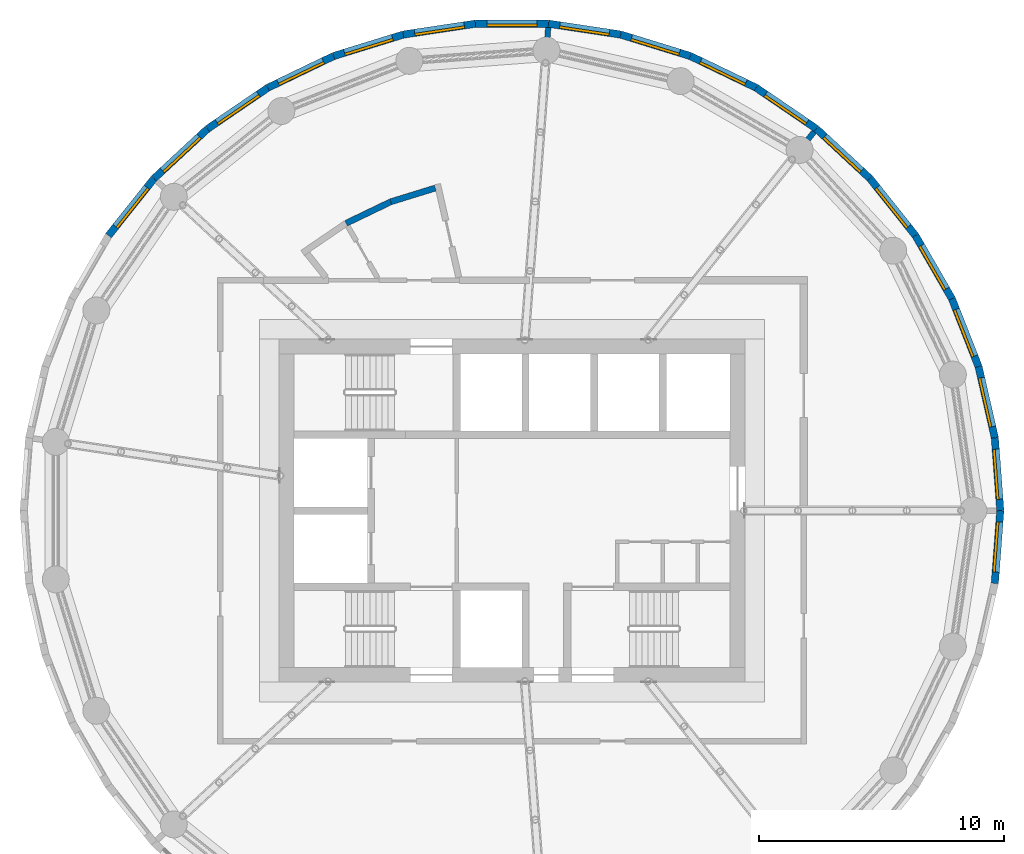
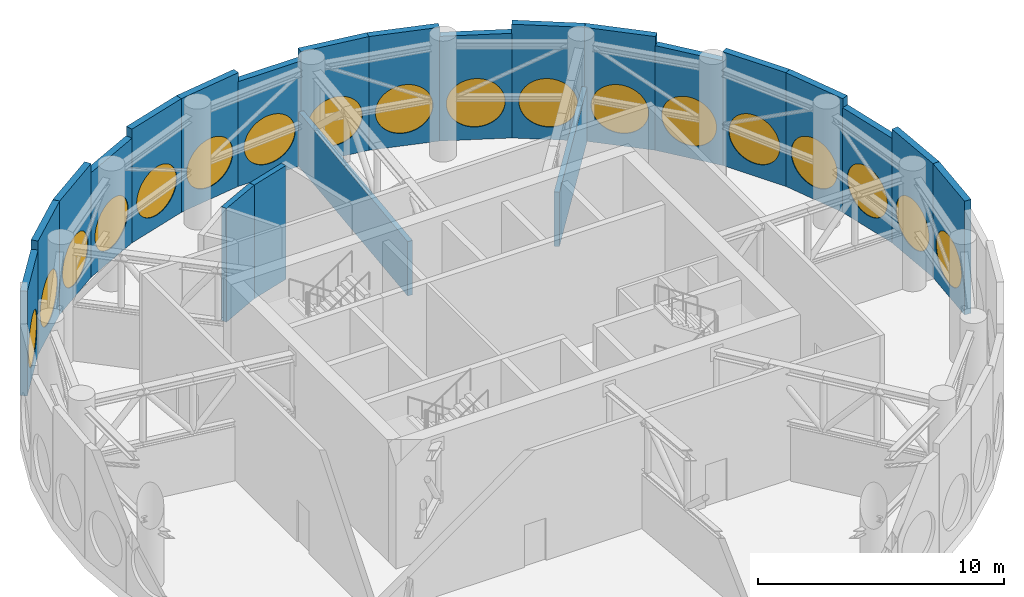
# One storey, part 10 of 13: 22 walls, 18 windows, 18 openings.
"""IFC4 building model written with IfcOpenShell, lengths in metres."""

import ifcopenshell
import ifcopenshell.guid

model = None  # the IFC model being written
_history = None  # IfcOwnerHistory: only IFC2X3 demands one
_inside = {}  # id of a spatial element -> (the spatial element, [elements in it])
_under = {}  # id of a project, library or spatial element -> (it, [spatial elements below it])
_declared = {}  # id of a project -> (the project, [libraries it declares])
_typed = {}  # id of a type object -> (the type object, [elements of that type])
_made_of = {}  # id of a material, layer set ... -> (it, [elements and type objects made of it])


def new_model(schema):
    """Start an empty IFC model of exactly this schema.

    Asked for "IFC4X3", IfcOpenShell would pick the latest addendum, in which some entities
    have other attributes; the version numbers below select the first issue.
    IFC2X3 requires an IfcOwnerHistory on every rooted entity: one is made here for all.
    """
    global model, _history
    if schema == "IFC4X3":
        model = ifcopenshell.file(schema_version=(4, 3, 0, 0))
    else:
        model = ifcopenshell.file(schema=schema)
    _inside.clear()
    _under.clear()
    _declared.clear()
    _typed.clear()
    _made_of.clear()
    _history = None
    if model.schema == "IFC2X3":
        org = make("IfcOrganization", Name="unknown")
        user = make(
            "IfcPersonAndOrganization",
            ThePerson=make("IfcPerson", FamilyName="unknown"),
            TheOrganization=org,
        )
        app = make(
            "IfcApplication",
            ApplicationDeveloper=org,
            Version="unknown",
            ApplicationFullName="unknown",
            ApplicationIdentifier="unknown",
        )
        _history = make(
            "IfcOwnerHistory",
            OwningUser=user,
            OwningApplication=app,
            ChangeAction="ADDED",
            CreationDate=0,
        )
    return model


def make(cls, **values):
    """One entity of the class cls with the attributes given. An attribute that is None is left unset."""
    return model.create_entity(
        cls, **{name: value for name, value in values.items() if value is not None}
    )


def rooted(cls, **values):
    """An entity with a GlobalId (a new one), such as an element, a storey or a relation."""
    return make(cls, GlobalId=ifcopenshell.guid.new(), OwnerHistory=_history, **values)


def si_unit(unit_type, name, prefix=None):
    """IfcSIUnit, for example si_unit("LENGTHUNIT", "METRE", prefix="MILLI")."""
    return make("IfcSIUnit", UnitType=unit_type, Prefix=prefix, Name=name)


def assignment(units):
    """IfcUnitAssignment: the units of a project."""
    return None if units is None else make("IfcUnitAssignment", Units=units)


def point(xyz):
    """IfcCartesianPoint."""
    return None if xyz is None else make("IfcCartesianPoint", Coordinates=xyz)


def direction(xyz):
    """IfcDirection."""
    return None if xyz is None else make("IfcDirection", DirectionRatios=xyz)


def frame(location, z_axis=None, x_axis=None):
    """IfcAxis2Placement3D, a coordinate frame: its origin and axes. An axis left out is left unset."""
    return make(
        "IfcAxis2Placement3D",
        Location=point(location),
        Axis=direction(z_axis),
        RefDirection=direction(x_axis),
    )


def frame_2d(location, x_axis=None):
    """IfcAxis2Placement2D, a coordinate frame in the plane: its origin and x axis."""
    return make(
        "IfcAxis2Placement2D", Location=point(location), RefDirection=direction(x_axis)
    )


def origin():
    """The frame at (0, 0, 0) with its axes left unset."""
    return frame((0.0, 0.0, 0.0))


def origin_2d():
    """The frame at (0, 0) in the plane with its x axis left unset."""
    return frame_2d((0.0, 0.0))


def place(relative_to, where):
    """IfcLocalPlacement: puts the frame where relative to a parent placement (None: the world)."""
    return make(
        "IfcLocalPlacement", PlacementRelTo=relative_to, RelativePlacement=where
    )


def context(
    kind, dimensions, precision=None, world=None, true_north=None, identifier=None
):
    """IfcGeometricRepresentationContext, for example the 3D "Model" context."""
    return make(
        "IfcGeometricRepresentationContext",
        ContextIdentifier=identifier,
        ContextType=kind,
        CoordinateSpaceDimension=dimensions,
        Precision=precision,
        WorldCoordinateSystem=world,
        TrueNorth=true_north,
    )


def subcontext(parent, identifier, kind, view, scale=None):
    """IfcGeometricRepresentationSubContext, for example "Body" below "Model"."""
    return make(
        "IfcGeometricRepresentationSubContext",
        ContextIdentifier=identifier,
        ContextType=kind,
        ParentContext=parent,
        TargetScale=scale,
        TargetView=view,
    )


def project(units=None, contexts=None):
    """IfcProject with its units and contexts."""
    return rooted(
        "IfcProject",
        Name="project",
        RepresentationContexts=contexts,
        UnitsInContext=assignment(units),
    )


def spatial(cls, under=None, at=None, **own):
    """A site, building, storey or space (cls), placed at a placement, below another one or the project."""
    s = rooted(cls, ObjectPlacement=at, **own)
    if under is not None:
        _under.setdefault(under.id(), (under, []))[1].append(s)
    return s


def profile(cls, at=None, kind="AREA", **sizes):
    """A parametric profile (cls). Its sizes go by their IFC names, for example OverallWidth=200.0."""
    return make(cls, ProfileType=kind, Position=at, **sizes)


def rectangle(**sizes):
    """IfcRectangleProfileDef."""
    return profile("IfcRectangleProfileDef", **sizes)


def circle(**sizes):
    """IfcCircleProfileDef."""
    return profile("IfcCircleProfileDef", **sizes)


def extrude(swept, where, along, depth):
    """IfcExtrudedAreaSolid: the profile swept, set in the frame where, extruded along a direction by depth."""
    return make(
        "IfcExtrudedAreaSolid",
        SweptArea=swept,
        Position=where,
        ExtrudedDirection=direction(along),
        Depth=depth,
    )


def shape(context_of_items, identifier, shape_type, items):
    """IfcShapeRepresentation: the items that make up one representation, for example the "Body"."""
    return make(
        "IfcShapeRepresentation",
        ContextOfItems=context_of_items,
        RepresentationIdentifier=identifier,
        RepresentationType=shape_type,
        Items=items,
    )


def material(Name=None, Category=None):
    """IfcMaterial."""
    return make("IfcMaterial", Name=Name, Category=Category)


def layer(
    of_material, thickness, ventilated=None, Name=None, Category=None, Priority=None
):
    """IfcMaterialLayer: one layer of a wall or slab, of a material (None: an air gap)."""
    return make(
        "IfcMaterialLayer",
        Material=of_material,
        LayerThickness=thickness,
        IsVentilated=ventilated,
        Name=Name,
        Category=Category,
        Priority=Priority,
    )


def layer_set(layers, Name=None):
    """IfcMaterialLayerSet."""
    return make("IfcMaterialLayerSet", MaterialLayers=layers, LayerSetName=Name)


def made_of(thing, what):
    """Note that an element or type object is made of a material, layer set ...; save() writes the relation."""
    if what is not None:
        _made_of.setdefault(what.id(), (what, []))[1].append(thing)
    return thing


def type_object(cls, material=None, **own):
    """A type object (cls), such as IfcWallType, which elements share."""
    return made_of(rooted(cls, **own), material)


def element(
    cls,
    number,
    at=None,
    inside=None,
    cuts=None,
    type_object=None,
    material=None,
    context=None,
    identifier="Body",
    shape_type=None,
    held_by="IfcProductDefinitionShape",
    body=None,
    shapes=None,
    **own,
):
    """One element of the class cls, such as IfcWall. Its Tag is "e" and its number.

    at: its placement. inside: the storey or other place that contains it. cuts: it is an
    opening in that element (IfcRelVoidsElement). A single representation is given by context,
    identifier, shape_type and body (its items); several are given by shapes. held_by: the class
    of the entity that holds the representations. save() writes the other relations.
    """
    e = rooted(cls, Tag="e%d" % number, ObjectPlacement=at, **own)
    if body is not None:
        shapes = [shape(context, identifier, shape_type, body)]
    if shapes is not None:
        e.Representation = make(held_by, Representations=shapes)
    if inside is not None:
        _inside.setdefault(inside.id(), (inside, []))[1].append(e)
    if cuts is not None:
        rooted(
            "IfcRelVoidsElement", RelatingBuildingElement=cuts, RelatedOpeningElement=e
        )
    if type_object is not None:
        _typed.setdefault(type_object.id(), (type_object, []))[1].append(e)
    return made_of(e, material)


def fill(opening, filler):
    """IfcRelFillsElement: the door or window that sits in an opening."""
    return rooted(
        "IfcRelFillsElement",
        RelatingOpeningElement=opening,
        RelatedBuildingElement=filler,
    )


def aggregate(whole, parts):
    """IfcRelAggregates: a whole, such as a stair, and the parts it consists of."""
    return rooted("IfcRelAggregates", RelatingObject=whole, RelatedObjects=parts)


def save(model, path):
    """Write the relations noted so far, then the file.

    IfcRelAggregates (storeys below a building ...), IfcRelContainedInSpatialStructure (elements
    in a storey), IfcRelDefinesByType, IfcRelAssociatesMaterial and IfcRelDeclares: one each for
    every whole, place, type object, material and project.
    """
    for whole, parts in _under.values():
        aggregate(whole, parts)
    for where, things in _inside.values():
        rooted(
            "IfcRelContainedInSpatialStructure",
            RelatedElements=things,
            RelatingStructure=where,
        )
    for kind, things in _typed.values():
        rooted("IfcRelDefinesByType", RelatedObjects=things, RelatingType=kind)
    for what, things in _made_of.values():
        rooted("IfcRelAssociatesMaterial", RelatedObjects=things, RelatingMaterial=what)
    for by, libraries in _declared.values():
        rooted("IfcRelDeclares", RelatingContext=by, RelatedDefinitions=libraries)
    model.write(path)


model = new_model("IFC4")

# Units and contexts
model_context = context("Model", 3, precision=1e-05, world=origin(), true_north=direction((0.0, 1.0)))
body_context = subcontext(model_context, "Body", "Model", "MODEL_VIEW")
ifc_project = project(units=[si_unit("LENGTHUNIT", "METRE"), si_unit("AREAUNIT", "SQUARE_METRE"), si_unit("VOLUMEUNIT", "CUBIC_METRE"), si_unit("PLANEANGLEUNIT", "RADIAN"), si_unit("MASSUNIT", "GRAM", prefix="KILO")], contexts=[model_context])

# Site, building, storey
site_placement = place(None, origin())
site = spatial("IfcSite", under=ifc_project, at=site_placement, CompositionType="ELEMENT")
building_placement = place(site_placement, origin())
building = spatial("IfcBuilding", under=site, at=building_placement, Name="Tracery Tower", CompositionType="ELEMENT")
storey_placement = place(building_placement, frame((0.0, 0.0, 277.800048828125)))
storey = spatial("IfcBuildingStorey", under=building, at=storey_placement, Name="L72 Plant", CompositionType="ELEMENT", Elevation=277.800048828125)

# Wall, opening, window
ifc_material_1 = material(Name="Precast concrete C50/60", Category="concrete")
ifc_layer_1 = layer(ifc_material_1, 0.300048828125)
ifc_layer_set_1 = layer_set([ifc_layer_1], Name="Plant louvre panel 3000 x 5200")
wall_type_1 = type_object("IfcWallType", Name="Plant louvre panel 3000 x 5200", PredefinedType="SOLIDWALL", material=ifc_layer_set_1)
wall_1_placement = place(storey_placement, frame((19.69921875, 2.96923828125, 0.0), z_axis=(0.0, 0.0, 1.0), x_axis=(-0.222535358937, 0.974924619662, 0.0)))
wall_1 = element("IfcWall", 1, at=wall_1_placement, inside=storey, type_object=wall_type_1, Name="Plant louvre panel 2 at L72 Plant", PredefinedType="SOLIDWALL", context=body_context, shape_type="SweptSolid", body=[
    extrude(rectangle(XDim=2.9775390625, YDim=0.300048828125, at=frame_2d((1.48876953125, 0.0))), origin(), (0.0, 0.0, 1.0), 5.199951171875),
])
opening_1_placement = place(wall_1_placement, frame((1.48876953125, 0.0, 1.824951171875)))
opening_1 = element("IfcOpeningElement", 2, at=opening_1_placement, cuts=wall_1, Name="Opening LV2", PredefinedType="OPENING", context=body_context, shape_type="SweptSolid", body=[
    extrude(circle(Radius=1.199951171875, at=origin_2d()), frame((0.0, 0.159912109375, 0.0), z_axis=(0.0, -1.0, 0.0), x_axis=(1.0, 0.0, 0.0)), (0.0, 0.0, 1.0), 0.320068359375),
])
ifc_material_2 = material(Name="Aluminium louvre, bronze anodised", Category="aluminium")
window_type = type_object("IfcWindowType", Name="Louvred oculus 2400, sill 625", PartitioningType="SINGLE_PANEL", PredefinedType="WINDOW", material=ifc_material_2)
window_1_placement = place(opening_1_placement, origin())
window_1 = element("IfcWindow", 3, at=window_1_placement, inside=storey, type_object=window_type, Name="Louvred oculus 2 at L72 Plant", OverallHeight=2.39990234375, OverallWidth=2.39990234375, PartitioningType="SINGLE_PANEL", PredefinedType="WINDOW", context=body_context, shape_type="SweptSolid", body=[
    extrude(circle(Radius=1.199951171875, at=origin_2d()), frame((0.0, 0.1201171875, 0.0), z_axis=(0.0, -1.0, 0.0), x_axis=(1.0, 0.0, 0.0)), (0.0, 0.0, 1.0), 0.10009765625),
])
fill(opening_1, window_1)

wall_2_placement = place(storey_placement, frame((16.460205078125, 11.222412109375, 0.0), z_axis=(0.0, 0.0, 1.0), x_axis=(-0.623494374707, 0.781827835722, 0.0)))
wall_2 = element("IfcWall", 4, at=wall_2_placement, inside=storey, type_object=wall_type_1, Name="Plant louvre panel 5 at L72 Plant", PredefinedType="SOLIDWALL", context=body_context, shape_type="SweptSolid", body=[
    extrude(rectangle(XDim=2.9775390625, YDim=0.300048828125, at=frame_2d((1.48876953125, 0.0))), origin(), (0.0, 0.0, 1.0), 5.199951171875),
])
opening_2_placement = place(wall_2_placement, frame((1.48876953125, 0.0, 1.824951171875)))
opening_2 = element("IfcOpeningElement", 5, at=opening_2_placement, cuts=wall_2, Name="Opening LV2", PredefinedType="OPENING", context=body_context, shape_type="SweptSolid", body=[
    extrude(circle(Radius=1.199951171875, at=origin_2d()), frame((0.0, 0.159912109375, 0.0), z_axis=(0.0, -1.0, 0.0), x_axis=(1.0, 0.0, 0.0)), (0.0, 0.0, 1.0), 0.320068359375),
])
window_2_placement = place(opening_2_placement, origin())
window_2 = element("IfcWindow", 6, at=window_2_placement, inside=storey, type_object=window_type, Name="Louvred oculus 5 at L72 Plant", OverallHeight=2.39990234375, OverallWidth=2.39990234375, PartitioningType="SINGLE_PANEL", PredefinedType="WINDOW", context=body_context, shape_type="SweptSolid", body=[
    extrude(circle(Radius=1.199951171875, at=origin_2d()), frame((0.0, 0.1201171875, 0.0), z_axis=(0.0, -1.0, 0.0), x_axis=(1.0, 0.0, 0.0)), (0.0, 0.0, 1.0), 0.10009765625),
])
fill(opening_2, window_2)

wall_3_placement = place(storey_placement, frame((9.9609375, 17.252685546875, 0.0), z_axis=(0.0, 0.0, 1.0), x_axis=(-0.900954184324, 0.433914228562, 0.0)))
wall_3 = element("IfcWall", 7, at=wall_3_placement, inside=storey, type_object=wall_type_1, Name="Plant louvre panel 8 at L72 Plant", PredefinedType="SOLIDWALL", context=body_context, shape_type="SweptSolid", body=[
    extrude(rectangle(XDim=2.9775390625, YDim=0.300048828125, at=frame_2d((1.48876953125, 0.0))), origin(), (0.0, 0.0, 1.0), 5.199951171875),
])
opening_3_placement = place(wall_3_placement, frame((1.48876953125, 0.0, 1.824951171875)))
opening_3 = element("IfcOpeningElement", 8, at=opening_3_placement, cuts=wall_3, Name="Opening LV2", PredefinedType="OPENING", context=body_context, shape_type="SweptSolid", body=[
    extrude(circle(Radius=1.199951171875, at=origin_2d()), frame((0.0, 0.159912109375, 0.0), z_axis=(0.0, -1.0, 0.0), x_axis=(1.0, 0.0, 0.0)), (0.0, 0.0, 1.0), 0.320068359375),
])
window_3_placement = place(opening_3_placement, origin())
window_3 = element("IfcWindow", 9, at=window_3_placement, inside=storey, type_object=window_type, Name="Louvred oculus 8 at L72 Plant", OverallHeight=2.39990234375, OverallWidth=2.39990234375, PartitioningType="SINGLE_PANEL", PredefinedType="WINDOW", context=body_context, shape_type="SweptSolid", body=[
    extrude(circle(Radius=1.199951171875, at=origin_2d()), frame((0.0, 0.1201171875, 0.0), z_axis=(0.0, -1.0, 0.0), x_axis=(1.0, 0.0, 0.0)), (0.0, 0.0, 1.0), 0.10009765625),
])
fill(opening_3, window_3)

wall_4_placement = place(storey_placement, frame((1.48876953125, 19.865966796875, 0.0), z_axis=(0.0, 0.0, 1.0), x_axis=(-1.0, 0.0, 0.0)))
wall_4 = element("IfcWall", 10, at=wall_4_placement, inside=storey, type_object=wall_type_1, Name="Plant louvre panel 11 at L72 Plant", PredefinedType="SOLIDWALL", context=body_context, shape_type="SweptSolid", body=[
    extrude(rectangle(XDim=2.9775390625, YDim=0.300048828125, at=frame_2d((1.48876953125, 0.0))), origin(), (0.0, 0.0, 1.0), 5.199951171875),
])
opening_4_placement = place(wall_4_placement, frame((1.48876953125, 0.0, 1.824951171875)))
opening_4 = element("IfcOpeningElement", 11, at=opening_4_placement, cuts=wall_4, Name="Opening LV2", PredefinedType="OPENING", context=body_context, shape_type="SweptSolid", body=[
    extrude(circle(Radius=1.199951171875, at=origin_2d()), frame((0.0, 0.159912109375, 0.0), z_axis=(0.0, -1.0, 0.0), x_axis=(1.0, 0.0, 0.0)), (0.0, 0.0, 1.0), 0.320068359375),
])
window_4_placement = place(opening_4_placement, origin())
window_4 = element("IfcWindow", 12, at=window_4_placement, inside=storey, type_object=window_type, Name="Louvred oculus 11 at L72 Plant", OverallHeight=2.39990234375, OverallWidth=2.39990234375, PartitioningType="SINGLE_PANEL", PredefinedType="WINDOW", context=body_context, shape_type="SweptSolid", body=[
    extrude(circle(Radius=1.199951171875, at=origin_2d()), frame((0.0, 0.1201171875, 0.0), z_axis=(0.0, -1.0, 0.0), x_axis=(1.0, 0.0, 0.0)), (0.0, 0.0, 1.0), 0.10009765625),
])
fill(opening_4, window_4)

wall_5_placement = place(storey_placement, frame((-7.2783203125, 18.544677734375, 0.0), z_axis=(0.0, 0.0, 1.0), x_axis=(-0.900954184324, -0.433914228562, 0.0)))
wall_5 = element("IfcWall", 13, at=wall_5_placement, inside=storey, type_object=wall_type_1, Name="Plant louvre panel 14 at L72 Plant", PredefinedType="SOLIDWALL", context=body_context, shape_type="SweptSolid", body=[
    extrude(rectangle(XDim=2.9775390625, YDim=0.300048828125, at=frame_2d((1.48876953125, 0.0))), origin(), (0.0, 0.0, 1.0), 5.199951171875),
])
opening_5_placement = place(wall_5_placement, frame((1.48876953125, 0.0, 1.824951171875)))
opening_5 = element("IfcOpeningElement", 14, at=opening_5_placement, cuts=wall_5, Name="Opening LV2", PredefinedType="OPENING", context=body_context, shape_type="SweptSolid", body=[
    extrude(circle(Radius=1.199951171875, at=origin_2d()), frame((0.0, 0.159912109375, 0.0), z_axis=(0.0, -1.0, 0.0), x_axis=(1.0, 0.0, 0.0)), (0.0, 0.0, 1.0), 0.320068359375),
])
window_5_placement = place(opening_5_placement, origin())
window_5 = element("IfcWindow", 15, at=window_5_placement, inside=storey, type_object=window_type, Name="Louvred oculus 14 at L72 Plant", OverallHeight=2.39990234375, OverallWidth=2.39990234375, PartitioningType="SINGLE_PANEL", PredefinedType="WINDOW", context=body_context, shape_type="SweptSolid", body=[
    extrude(circle(Radius=1.199951171875, at=origin_2d()), frame((0.0, 0.1201171875, 0.0), z_axis=(0.0, -1.0, 0.0), x_axis=(1.0, 0.0, 0.0)), (0.0, 0.0, 1.0), 0.10009765625),
])
fill(opening_5, window_5)

wall_6_placement = place(storey_placement, frame((-14.603759765625, 13.55029296875, 0.0), z_axis=(0.0, 0.0, 1.0), x_axis=(-0.623494374707, -0.781827835722, 0.0)))
wall_6 = element("IfcWall", 16, at=wall_6_placement, inside=storey, type_object=wall_type_1, Name="Plant louvre panel 17 at L72 Plant", PredefinedType="SOLIDWALL", context=body_context, shape_type="SweptSolid", body=[
    extrude(rectangle(XDim=2.9775390625, YDim=0.300048828125, at=frame_2d((1.48876953125, 0.0))), origin(), (0.0, 0.0, 1.0), 5.199951171875),
])
opening_6_placement = place(wall_6_placement, frame((1.48876953125, 0.0, 1.824951171875)))
opening_6 = element("IfcOpeningElement", 17, at=opening_6_placement, cuts=wall_6, Name="Opening LV2", PredefinedType="OPENING", context=body_context, shape_type="SweptSolid", body=[
    extrude(circle(Radius=1.199951171875, at=origin_2d()), frame((0.0, 0.159912109375, 0.0), z_axis=(0.0, -1.0, 0.0), x_axis=(1.0, 0.0, 0.0)), (0.0, 0.0, 1.0), 0.320068359375),
])
window_6_placement = place(opening_6_placement, origin())
window_6 = element("IfcWindow", 18, at=window_6_placement, inside=storey, type_object=window_type, Name="Louvred oculus 17 at L72 Plant", OverallHeight=2.39990234375, OverallWidth=2.39990234375, PartitioningType="SINGLE_PANEL", PredefinedType="WINDOW", context=body_context, shape_type="SweptSolid", body=[
    extrude(circle(Radius=1.199951171875, at=origin_2d()), frame((0.0, 0.1201171875, 0.0), z_axis=(0.0, -1.0, 0.0), x_axis=(1.0, 0.0, 0.0)), (0.0, 0.0, 1.0), 0.10009765625),
])
fill(opening_6, window_6)

ifc_material_3 = material(Name="Precast concrete C50/60", Category="concrete")
ifc_layer_2 = layer(ifc_material_3, 0.300048828125)
ifc_layer_set_2 = layer_set([ifc_layer_2], Name="Plant louvre panel 3000 x 5650")
wall_type_2 = type_object("IfcWallType", Name="Plant louvre panel 3000 x 5650", PredefinedType="SOLIDWALL", material=ifc_layer_set_2)
wall_7_placement = place(storey_placement, frame((19.921875, 0.0, 0.0), z_axis=(0.0, 0.0, 1.0), x_axis=(-0.074777718064, 0.997200227076, 0.0)))
wall_7 = element("IfcWall", 19, at=wall_7_placement, inside=storey, type_object=wall_type_2, Name="Plant louvre panel 1 at L72 Plant", PredefinedType="SOLIDWALL", context=body_context, shape_type="SweptSolid", body=[
    extrude(rectangle(XDim=2.9775390625, YDim=0.300048828125, at=frame_2d((1.48876953125, 0.0))), origin(), (0.0, 0.0, 1.0), 5.64990234375),
])
opening_7_placement = place(wall_7_placement, frame((1.48876953125, 0.0, 1.824951171875)))
opening_7 = element("IfcOpeningElement", 20, at=opening_7_placement, cuts=wall_7, Name="Opening LV2", PredefinedType="OPENING", context=body_context, shape_type="SweptSolid", body=[
    extrude(circle(Radius=1.199951171875, at=origin_2d()), frame((0.0, 0.159912109375, 0.0), z_axis=(0.0, -1.0, 0.0), x_axis=(1.0, 0.0, 0.0)), (0.0, 0.0, 1.0), 0.320068359375),
])
window_7_placement = place(opening_7_placement, origin())
window_7 = element("IfcWindow", 21, at=window_7_placement, inside=storey, type_object=window_type, Name="Louvred oculus 1 at L72 Plant", OverallHeight=2.39990234375, OverallWidth=2.39990234375, PartitioningType="SINGLE_PANEL", PredefinedType="WINDOW", context=body_context, shape_type="SweptSolid", body=[
    extrude(circle(Radius=1.199951171875, at=origin_2d()), frame((0.0, 0.1201171875, 0.0), z_axis=(0.0, -1.0, 0.0), x_axis=(1.0, 0.0, 0.0)), (0.0, 0.0, 1.0), 0.10009765625),
])
fill(opening_7, window_7)

wall_8_placement = place(storey_placement, frame((19.03662109375, 5.8720703125, 0.0), z_axis=(0.0, 0.0, 1.0), x_axis=(-0.365289571566, 0.930893940739, 0.0)))
wall_8 = element("IfcWall", 22, at=wall_8_placement, inside=storey, type_object=wall_type_2, Name="Plant louvre panel 3 at L72 Plant", PredefinedType="SOLIDWALL", context=body_context, shape_type="SweptSolid", body=[
    extrude(rectangle(XDim=2.9775390625, YDim=0.300048828125, at=frame_2d((1.48876953125, 0.0))), origin(), (0.0, 0.0, 1.0), 5.64990234375),
])
opening_8_placement = place(wall_8_placement, frame((1.48876953125, 0.0, 1.824951171875)))
opening_8 = element("IfcOpeningElement", 23, at=opening_8_placement, cuts=wall_8, Name="Opening LV2", PredefinedType="OPENING", context=body_context, shape_type="SweptSolid", body=[
    extrude(circle(Radius=1.199951171875, at=origin_2d()), frame((0.0, 0.159912109375, 0.0), z_axis=(0.0, -1.0, 0.0), x_axis=(1.0, 0.0, 0.0)), (0.0, 0.0, 1.0), 0.320068359375),
])
window_8_placement = place(opening_8_placement, origin())
window_8 = element("IfcWindow", 24, at=window_8_placement, inside=storey, type_object=window_type, Name="Louvred oculus 3 at L72 Plant", OverallHeight=2.39990234375, OverallWidth=2.39990234375, PartitioningType="SINGLE_PANEL", PredefinedType="WINDOW", context=body_context, shape_type="SweptSolid", body=[
    extrude(circle(Radius=1.199951171875, at=origin_2d()), frame((0.0, 0.1201171875, 0.0), z_axis=(0.0, -1.0, 0.0), x_axis=(1.0, 0.0, 0.0)), (0.0, 0.0, 1.0), 0.10009765625),
])
fill(opening_8, window_8)

wall_9_placement = place(storey_placement, frame((17.948974609375, 8.643798828125, 0.0), z_axis=(0.0, 0.0, 1.0), x_axis=(-0.500001626982, 0.866024464444, 0.0)))
wall_9 = element("IfcWall", 25, at=wall_9_placement, inside=storey, type_object=wall_type_2, Name="Plant louvre panel 4 at L72 Plant", PredefinedType="SOLIDWALL", context=body_context, shape_type="SweptSolid", body=[
    extrude(rectangle(XDim=2.9775390625, YDim=0.300048828125, at=frame_2d((1.48876953125, 0.0))), origin(), (0.0, 0.0, 1.0), 5.64990234375),
])
opening_9_placement = place(wall_9_placement, frame((1.48876953125, 0.0, 1.824951171875)))
opening_9 = element("IfcOpeningElement", 26, at=opening_9_placement, cuts=wall_9, Name="Opening LV2", PredefinedType="OPENING", context=body_context, shape_type="SweptSolid", body=[
    extrude(circle(Radius=1.199951171875, at=origin_2d()), frame((0.0, 0.159912109375, 0.0), z_axis=(0.0, -1.0, 0.0), x_axis=(1.0, 0.0, 0.0)), (0.0, 0.0, 1.0), 0.320068359375),
])
window_9_placement = place(opening_9_placement, origin())
window_9 = element("IfcWindow", 27, at=window_9_placement, inside=storey, type_object=window_type, Name="Louvred oculus 4 at L72 Plant", OverallHeight=2.39990234375, OverallWidth=2.39990234375, PartitioningType="SINGLE_PANEL", PredefinedType="WINDOW", context=body_context, shape_type="SweptSolid", body=[
    extrude(circle(Radius=1.199951171875, at=origin_2d()), frame((0.0, 0.1201171875, 0.0), z_axis=(0.0, -1.0, 0.0), x_axis=(1.0, 0.0, 0.0)), (0.0, 0.0, 1.0), 0.10009765625),
])
fill(opening_9, window_9)

wall_10_placement = place(storey_placement, frame((14.603759765625, 13.55029296875, 0.0), z_axis=(0.0, 0.0, 1.0), x_axis=(-0.733056277766, 0.68016798927, 0.0)))
wall_10 = element("IfcWall", 28, at=wall_10_placement, inside=storey, type_object=wall_type_2, Name="Plant louvre panel 6 at L72 Plant", PredefinedType="SOLIDWALL", context=body_context, shape_type="SweptSolid", body=[
    extrude(rectangle(XDim=2.9775390625, YDim=0.300048828125, at=frame_2d((1.48876953125, 0.0))), origin(), (0.0, 0.0, 1.0), 5.64990234375),
])
opening_10_placement = place(wall_10_placement, frame((1.48876953125, 0.0, 1.824951171875)))
opening_10 = element("IfcOpeningElement", 29, at=opening_10_placement, cuts=wall_10, Name="Opening LV2", PredefinedType="OPENING", context=body_context, shape_type="SweptSolid", body=[
    extrude(circle(Radius=1.199951171875, at=origin_2d()), frame((0.0, 0.159912109375, 0.0), z_axis=(0.0, -1.0, 0.0), x_axis=(1.0, 0.0, 0.0)), (0.0, 0.0, 1.0), 0.320068359375),
])
window_10_placement = place(opening_10_placement, origin())
window_10 = element("IfcWindow", 30, at=window_10_placement, inside=storey, type_object=window_type, Name="Louvred oculus 6 at L72 Plant", OverallHeight=2.39990234375, OverallWidth=2.39990234375, PartitioningType="SINGLE_PANEL", PredefinedType="WINDOW", context=body_context, shape_type="SweptSolid", body=[
    extrude(circle(Radius=1.199951171875, at=origin_2d()), frame((0.0, 0.1201171875, 0.0), z_axis=(0.0, -1.0, 0.0), x_axis=(1.0, 0.0, 0.0)), (0.0, 0.0, 1.0), 0.10009765625),
])
fill(opening_10, window_10)

wall_11_placement = place(storey_placement, frame((12.421142578125, 15.575439453125, 0.0), z_axis=(0.0, 0.0, 1.0), x_axis=(-0.826253362584, 0.56329866041, 0.0)))
wall_11 = element("IfcWall", 31, at=wall_11_placement, inside=storey, type_object=wall_type_2, Name="Plant louvre panel 7 at L72 Plant", PredefinedType="SOLIDWALL", context=body_context, shape_type="SweptSolid", body=[
    extrude(rectangle(XDim=2.9775390625, YDim=0.300048828125, at=frame_2d((1.48876953125, 0.0))), origin(), (0.0, 0.0, 1.0), 5.64990234375),
])
opening_11_placement = place(wall_11_placement, frame((1.48876953125, 0.0, 1.824951171875)))
opening_11 = element("IfcOpeningElement", 32, at=opening_11_placement, cuts=wall_11, Name="Opening LV2", PredefinedType="OPENING", context=body_context, shape_type="SweptSolid", body=[
    extrude(circle(Radius=1.199951171875, at=origin_2d()), frame((0.0, 0.159912109375, 0.0), z_axis=(0.0, -1.0, 0.0), x_axis=(1.0, 0.0, 0.0)), (0.0, 0.0, 1.0), 0.320068359375),
])
window_11_placement = place(opening_11_placement, origin())
window_11 = element("IfcWindow", 33, at=window_11_placement, inside=storey, type_object=window_type, Name="Louvred oculus 7 at L72 Plant", OverallHeight=2.39990234375, OverallWidth=2.39990234375, PartitioningType="SINGLE_PANEL", PredefinedType="WINDOW", context=body_context, shape_type="SweptSolid", body=[
    extrude(circle(Radius=1.199951171875, at=origin_2d()), frame((0.0, 0.1201171875, 0.0), z_axis=(0.0, -1.0, 0.0), x_axis=(1.0, 0.0, 0.0)), (0.0, 0.0, 1.0), 0.10009765625),
])
fill(opening_11, window_11)

wall_12_placement = place(storey_placement, frame((7.2783203125, 18.544677734375, 0.0), z_axis=(0.0, 0.0, 1.0), x_axis=(-0.955567792294, 0.294771427261, 0.0)))
wall_12 = element("IfcWall", 34, at=wall_12_placement, inside=storey, type_object=wall_type_2, Name="Plant louvre panel 9 at L72 Plant", PredefinedType="SOLIDWALL", context=body_context, shape_type="SweptSolid", body=[
    extrude(rectangle(XDim=2.9775390625, YDim=0.300048828125, at=frame_2d((1.48876953125, 0.0))), origin(), (0.0, 0.0, 1.0), 5.64990234375),
])
opening_12_placement = place(wall_12_placement, frame((1.48876953125, 0.0, 1.824951171875)))
opening_12 = element("IfcOpeningElement", 35, at=opening_12_placement, cuts=wall_12, Name="Opening LV2", PredefinedType="OPENING", context=body_context, shape_type="SweptSolid", body=[
    extrude(circle(Radius=1.199951171875, at=origin_2d()), frame((0.0, 0.159912109375, 0.0), z_axis=(0.0, -1.0, 0.0), x_axis=(1.0, 0.0, 0.0)), (0.0, 0.0, 1.0), 0.320068359375),
])
window_12_placement = place(opening_12_placement, origin())
window_12 = element("IfcWindow", 36, at=window_12_placement, inside=storey, type_object=window_type, Name="Louvred oculus 9 at L72 Plant", OverallHeight=2.39990234375, OverallWidth=2.39990234375, PartitioningType="SINGLE_PANEL", PredefinedType="WINDOW", context=body_context, shape_type="SweptSolid", body=[
    extrude(circle(Radius=1.199951171875, at=origin_2d()), frame((0.0, 0.1201171875, 0.0), z_axis=(0.0, -1.0, 0.0), x_axis=(1.0, 0.0, 0.0)), (0.0, 0.0, 1.0), 0.10009765625),
])
fill(opening_12, window_12)

wall_13_placement = place(storey_placement, frame((4.43310546875, 19.42236328125, 0.0), z_axis=(0.0, 0.0, 1.0), x_axis=(-0.988839917871, 0.148981934558, 0.0)))
wall_13 = element("IfcWall", 37, at=wall_13_placement, inside=storey, type_object=wall_type_2, Name="Plant louvre panel 10 at L72 Plant", PredefinedType="SOLIDWALL", context=body_context, shape_type="SweptSolid", body=[
    extrude(rectangle(XDim=2.9775390625, YDim=0.300048828125, at=frame_2d((1.48876953125, 0.0))), origin(), (0.0, 0.0, 1.0), 5.64990234375),
])
opening_13_placement = place(wall_13_placement, frame((1.48876953125, 0.0, 1.824951171875)))
opening_13 = element("IfcOpeningElement", 38, at=opening_13_placement, cuts=wall_13, Name="Opening LV2", PredefinedType="OPENING", context=body_context, shape_type="SweptSolid", body=[
    extrude(circle(Radius=1.199951171875, at=origin_2d()), frame((0.0, 0.159912109375, 0.0), z_axis=(0.0, -1.0, 0.0), x_axis=(1.0, 0.0, 0.0)), (0.0, 0.0, 1.0), 0.320068359375),
])
window_13_placement = place(opening_13_placement, origin())
window_13 = element("IfcWindow", 39, at=window_13_placement, inside=storey, type_object=window_type, Name="Louvred oculus 10 at L72 Plant", OverallHeight=2.39990234375, OverallWidth=2.39990234375, PartitioningType="SINGLE_PANEL", PredefinedType="WINDOW", context=body_context, shape_type="SweptSolid", body=[
    extrude(circle(Radius=1.199951171875, at=origin_2d()), frame((0.0, 0.1201171875, 0.0), z_axis=(0.0, -1.0, 0.0), x_axis=(1.0, 0.0, 0.0)), (0.0, 0.0, 1.0), 0.10009765625),
])
fill(opening_13, window_13)

wall_14_placement = place(storey_placement, frame((-1.48876953125, 19.865966796875, 0.0), z_axis=(0.0, 0.0, 1.0), x_axis=(-0.988839917871, -0.148981934558, 0.0)))
wall_14 = element("IfcWall", 40, at=wall_14_placement, inside=storey, type_object=wall_type_2, Name="Plant louvre panel 12 at L72 Plant", PredefinedType="SOLIDWALL", context=body_context, shape_type="SweptSolid", body=[
    extrude(rectangle(XDim=2.9775390625, YDim=0.300048828125, at=frame_2d((1.48876953125, 0.0))), origin(), (0.0, 0.0, 1.0), 5.64990234375),
])
opening_14_placement = place(wall_14_placement, frame((1.48876953125, 0.0, 1.824951171875)))
opening_14 = element("IfcOpeningElement", 41, at=opening_14_placement, cuts=wall_14, Name="Opening LV2", PredefinedType="OPENING", context=body_context, shape_type="SweptSolid", body=[
    extrude(circle(Radius=1.199951171875, at=origin_2d()), frame((0.0, 0.159912109375, 0.0), z_axis=(0.0, -1.0, 0.0), x_axis=(1.0, 0.0, 0.0)), (0.0, 0.0, 1.0), 0.320068359375),
])
window_14_placement = place(opening_14_placement, origin())
window_14 = element("IfcWindow", 42, at=window_14_placement, inside=storey, type_object=window_type, Name="Louvred oculus 12 at L72 Plant", OverallHeight=2.39990234375, OverallWidth=2.39990234375, PartitioningType="SINGLE_PANEL", PredefinedType="WINDOW", context=body_context, shape_type="SweptSolid", body=[
    extrude(circle(Radius=1.199951171875, at=origin_2d()), frame((0.0, 0.1201171875, 0.0), z_axis=(0.0, -1.0, 0.0), x_axis=(1.0, 0.0, 0.0)), (0.0, 0.0, 1.0), 0.10009765625),
])
fill(opening_14, window_14)

wall_15_placement = place(storey_placement, frame((-4.43310546875, 19.42236328125, 0.0), z_axis=(0.0, 0.0, 1.0), x_axis=(-0.955567792294, -0.294771427261, 0.0)))
wall_15 = element("IfcWall", 43, at=wall_15_placement, inside=storey, type_object=wall_type_2, Name="Plant louvre panel 13 at L72 Plant", PredefinedType="SOLIDWALL", context=body_context, shape_type="SweptSolid", body=[
    extrude(rectangle(XDim=2.9775390625, YDim=0.300048828125, at=frame_2d((1.48876953125, 0.0))), origin(), (0.0, 0.0, 1.0), 5.64990234375),
])
opening_15_placement = place(wall_15_placement, frame((1.48876953125, 0.0, 1.824951171875)))
opening_15 = element("IfcOpeningElement", 44, at=opening_15_placement, cuts=wall_15, Name="Opening LV2", PredefinedType="OPENING", context=body_context, shape_type="SweptSolid", body=[
    extrude(circle(Radius=1.199951171875, at=origin_2d()), frame((0.0, 0.159912109375, 0.0), z_axis=(0.0, -1.0, 0.0), x_axis=(1.0, 0.0, 0.0)), (0.0, 0.0, 1.0), 0.320068359375),
])
window_15_placement = place(opening_15_placement, origin())
window_15 = element("IfcWindow", 45, at=window_15_placement, inside=storey, type_object=window_type, Name="Louvred oculus 13 at L72 Plant", OverallHeight=2.39990234375, OverallWidth=2.39990234375, PartitioningType="SINGLE_PANEL", PredefinedType="WINDOW", context=body_context, shape_type="SweptSolid", body=[
    extrude(circle(Radius=1.199951171875, at=origin_2d()), frame((0.0, 0.1201171875, 0.0), z_axis=(0.0, -1.0, 0.0), x_axis=(1.0, 0.0, 0.0)), (0.0, 0.0, 1.0), 0.10009765625),
])
fill(opening_15, window_15)

wall_16_placement = place(storey_placement, frame((-9.9609375, 17.252685546875, 0.0), z_axis=(0.0, 0.0, 1.0), x_axis=(-0.826253362584, -0.56329866041, 0.0)))
wall_16 = element("IfcWall", 46, at=wall_16_placement, inside=storey, type_object=wall_type_2, Name="Plant louvre panel 15 at L72 Plant", PredefinedType="SOLIDWALL", context=body_context, shape_type="SweptSolid", body=[
    extrude(rectangle(XDim=2.9775390625, YDim=0.300048828125, at=frame_2d((1.48876953125, 0.0))), origin(), (0.0, 0.0, 1.0), 5.64990234375),
])
opening_16_placement = place(wall_16_placement, frame((1.48876953125, 0.0, 1.824951171875)))
opening_16 = element("IfcOpeningElement", 47, at=opening_16_placement, cuts=wall_16, Name="Opening LV2", PredefinedType="OPENING", context=body_context, shape_type="SweptSolid", body=[
    extrude(circle(Radius=1.199951171875, at=origin_2d()), frame((0.0, 0.159912109375, 0.0), z_axis=(0.0, -1.0, 0.0), x_axis=(1.0, 0.0, 0.0)), (0.0, 0.0, 1.0), 0.320068359375),
])
window_16_placement = place(opening_16_placement, origin())
window_16 = element("IfcWindow", 48, at=window_16_placement, inside=storey, type_object=window_type, Name="Louvred oculus 15 at L72 Plant", OverallHeight=2.39990234375, OverallWidth=2.39990234375, PartitioningType="SINGLE_PANEL", PredefinedType="WINDOW", context=body_context, shape_type="SweptSolid", body=[
    extrude(circle(Radius=1.199951171875, at=origin_2d()), frame((0.0, 0.1201171875, 0.0), z_axis=(0.0, -1.0, 0.0), x_axis=(1.0, 0.0, 0.0)), (0.0, 0.0, 1.0), 0.10009765625),
])
fill(opening_16, window_16)

wall_17_placement = place(storey_placement, frame((-12.421142578125, 15.575439453125, 0.0), z_axis=(0.0, 0.0, 1.0), x_axis=(-0.733056277766, -0.68016798927, 0.0)))
wall_17 = element("IfcWall", 49, at=wall_17_placement, inside=storey, type_object=wall_type_2, Name="Plant louvre panel 16 at L72 Plant", PredefinedType="SOLIDWALL", context=body_context, shape_type="SweptSolid", body=[
    extrude(rectangle(XDim=2.9775390625, YDim=0.300048828125, at=frame_2d((1.48876953125, 0.0))), origin(), (0.0, 0.0, 1.0), 5.64990234375),
])
opening_17_placement = place(wall_17_placement, frame((1.48876953125, 0.0, 1.824951171875)))
opening_17 = element("IfcOpeningElement", 50, at=opening_17_placement, cuts=wall_17, Name="Opening LV2", PredefinedType="OPENING", context=body_context, shape_type="SweptSolid", body=[
    extrude(circle(Radius=1.199951171875, at=origin_2d()), frame((0.0, 0.159912109375, 0.0), z_axis=(0.0, -1.0, 0.0), x_axis=(1.0, 0.0, 0.0)), (0.0, 0.0, 1.0), 0.320068359375),
])
window_17_placement = place(opening_17_placement, origin())
window_17 = element("IfcWindow", 51, at=window_17_placement, inside=storey, type_object=window_type, Name="Louvred oculus 16 at L72 Plant", OverallHeight=2.39990234375, OverallWidth=2.39990234375, PartitioningType="SINGLE_PANEL", PredefinedType="WINDOW", context=body_context, shape_type="SweptSolid", body=[
    extrude(circle(Radius=1.199951171875, at=origin_2d()), frame((0.0, 0.1201171875, 0.0), z_axis=(0.0, -1.0, 0.0), x_axis=(1.0, 0.0, 0.0)), (0.0, 0.0, 1.0), 0.10009765625),
])
fill(opening_17, window_17)

wall_18_placement = place(storey_placement, frame((19.69921875, -2.96923828125, 0.0), z_axis=(0.0, 0.0, 1.0), x_axis=(0.074777718064, 0.997200227076, 0.0)))
wall_18 = element("IfcWall", 52, at=wall_18_placement, inside=storey, type_object=wall_type_2, Name="Plant louvre panel 42 at L72 Plant", PredefinedType="SOLIDWALL", context=body_context, shape_type="SweptSolid", body=[
    extrude(rectangle(XDim=2.9775390625, YDim=0.300048828125, at=frame_2d((1.48876953125, 0.0))), origin(), (0.0, 0.0, 1.0), 5.64990234375),
])
opening_18_placement = place(wall_18_placement, frame((1.48876953125, 0.0, 1.824951171875)))
opening_18 = element("IfcOpeningElement", 53, at=opening_18_placement, cuts=wall_18, Name="Opening LV2", PredefinedType="OPENING", context=body_context, shape_type="SweptSolid", body=[
    extrude(circle(Radius=1.199951171875, at=origin_2d()), frame((0.0, 0.159912109375, 0.0), z_axis=(0.0, -1.0, 0.0), x_axis=(1.0, 0.0, 0.0)), (0.0, 0.0, 1.0), 0.320068359375),
])
window_18_placement = place(opening_18_placement, origin())
window_18 = element("IfcWindow", 54, at=window_18_placement, inside=storey, type_object=window_type, Name="Louvred oculus 42 at L72 Plant", OverallHeight=2.39990234375, OverallWidth=2.39990234375, PartitioningType="SINGLE_PANEL", PredefinedType="WINDOW", context=body_context, shape_type="SweptSolid", body=[
    extrude(circle(Radius=1.199951171875, at=origin_2d()), frame((0.0, 0.1201171875, 0.0), z_axis=(0.0, -1.0, 0.0), x_axis=(1.0, 0.0, 0.0)), (0.0, 0.0, 1.0), 0.10009765625),
])
fill(opening_18, window_18)

# Walls
ifc_material_4 = material(Name="Concrete blockwork", Category="masonry")
ifc_layer_3 = layer(ifc_material_4, 0.22509765625)
ifc_layer_set_3 = layer_set([ifc_layer_3], Name="Plant wall under outrigger truss 225")
wall_type_3 = type_object("IfcWallType", Name="Plant wall under outrigger truss 225", PredefinedType="PARTITIONING", material=ifc_layer_set_3)
wall_19_placement = place(storey_placement, frame((1.4775390625, 19.716064453125, 0.0), z_axis=(0.0, 0.0, 1.0), x_axis=(-0.074725214319, -0.99720416282, 0.0)))
element("IfcWall", 55, at=wall_19_placement, inside=storey, type_object=wall_type_3, Name="Plant wall under outrigger truss 225", PredefinedType="PARTITIONING", context=body_context, shape_type="SweptSolid", body=[
    extrude(rectangle(XDim=10.2197265625, YDim=0.22509765625, at=frame_2d((5.10986328125, 0.0))), origin(), (0.0, 0.0, 1.0), 2.699951171875),
])
wall_20_placement = place(storey_placement, frame((12.3271484375, 15.4580078125, 0.0), z_axis=(0.0, 0.0, 1.0), x_axis=(-0.623488645806, -0.781832404388, 0.0)))
element("IfcWall", 56, at=wall_20_placement, inside=storey, type_object=wall_type_3, Name="Plant wall under outrigger truss 225", PredefinedType="PARTITIONING", context=body_context, shape_type="SweptSolid", body=[
    extrude(rectangle(XDim=7.556640625, YDim=0.22509765625, at=frame_2d((3.7783203125, 0.0))), origin(), (0.0, 0.0, 1.0), 2.699951171875),
])
ifc_material_5 = material(Name="Concrete blockwork", Category="masonry")
ifc_layer_4 = layer(ifc_material_5, 0.25)
ifc_layer_set_4 = layer_set([ifc_layer_4], Name="Refuge block wall 250")
wall_type_4 = type_object("IfcWallType", Name="Refuge block wall 250", PredefinedType="PARTITIONING", material=ifc_layer_set_4)
wall_21_placement = place(storey_placement, frame((-4.9453125, 12.60009765625, 0.0), z_axis=(0.0, 0.0, 1.0), x_axis=(-0.900966722568, -0.433888193922, 0.0)))
element("IfcWall", 57, at=wall_21_placement, inside=storey, type_object=wall_type_4, Name="Refuge block wall 250", PredefinedType="PARTITIONING", context=body_context, shape_type="SweptSolid", body=[
    extrude(rectangle(XDim=2.02294921875, YDim=0.25, at=frame_2d((1.011474609375, 0.0))), origin(), (0.0, 0.0, 1.0), 5.64990234375),
])
wall_22_placement = place(storey_placement, frame((-3.13134765625, 13.15966796875, 0.0), z_axis=(0.0, 0.0, 1.0), x_axis=(-0.955567425496, -0.294772616317, 0.0)))
element("IfcWall", 58, at=wall_22_placement, inside=storey, type_object=wall_type_4, Name="Refuge block wall 250", PredefinedType="PARTITIONING", context=body_context, shape_type="SweptSolid", body=[
    extrude(rectangle(XDim=1.898193359375, YDim=0.25, at=frame_2d((0.94921875, 0.0))), origin(), (0.0, 0.0, 1.0), 5.64990234375),
])

save(model, "model.ifc")
